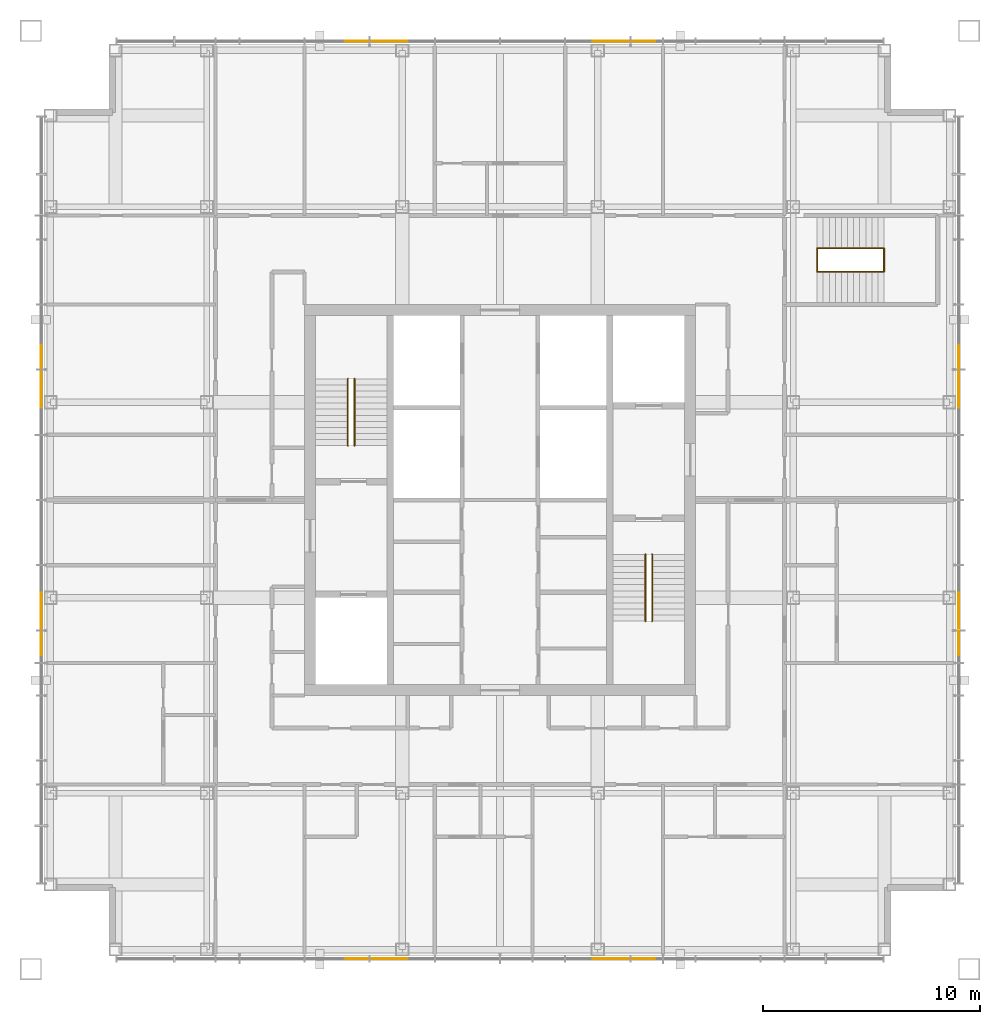
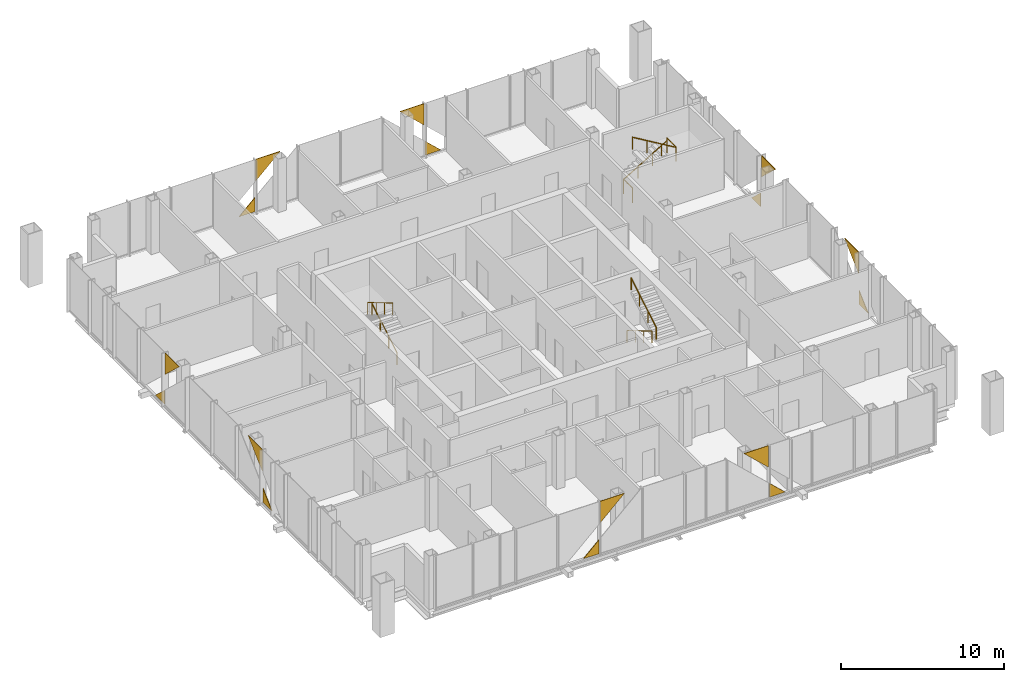
# One storey, part 12 of 12: 16 coverings, 8 railings.
"""IFC4 building model written with IfcOpenShell, lengths in metres."""

import ifcopenshell
import ifcopenshell.guid

model = None  # the IFC model being written
_history = None  # IfcOwnerHistory: only IFC2X3 demands one
_inside = {}  # id of a spatial element -> (the spatial element, [elements in it])
_under = {}  # id of a project, library or spatial element -> (it, [spatial elements below it])
_declared = {}  # id of a project -> (the project, [libraries it declares])
_typed = {}  # id of a type object -> (the type object, [elements of that type])
_made_of = {}  # id of a material, layer set ... -> (it, [elements and type objects made of it])


def new_model(schema):
    """Start an empty IFC model of exactly this schema.

    Asked for "IFC4X3", IfcOpenShell would pick the latest addendum, in which some entities
    have other attributes; the version numbers below select the first issue.
    IFC2X3 requires an IfcOwnerHistory on every rooted entity: one is made here for all.
    """
    global model, _history
    if schema == "IFC4X3":
        model = ifcopenshell.file(schema_version=(4, 3, 0, 0))
    else:
        model = ifcopenshell.file(schema=schema)
    _inside.clear()
    _under.clear()
    _declared.clear()
    _typed.clear()
    _made_of.clear()
    _history = None
    if model.schema == "IFC2X3":
        org = make("IfcOrganization", Name="unknown")
        user = make(
            "IfcPersonAndOrganization",
            ThePerson=make("IfcPerson", FamilyName="unknown"),
            TheOrganization=org,
        )
        app = make(
            "IfcApplication",
            ApplicationDeveloper=org,
            Version="unknown",
            ApplicationFullName="unknown",
            ApplicationIdentifier="unknown",
        )
        _history = make(
            "IfcOwnerHistory",
            OwningUser=user,
            OwningApplication=app,
            ChangeAction="ADDED",
            CreationDate=0,
        )
    return model


def make(cls, **values):
    """One entity of the class cls with the attributes given. An attribute that is None is left unset."""
    return model.create_entity(
        cls, **{name: value for name, value in values.items() if value is not None}
    )


def rooted(cls, **values):
    """An entity with a GlobalId (a new one), such as an element, a storey or a relation."""
    return make(cls, GlobalId=ifcopenshell.guid.new(), OwnerHistory=_history, **values)


def si_unit(unit_type, name, prefix=None):
    """IfcSIUnit, for example si_unit("LENGTHUNIT", "METRE", prefix="MILLI")."""
    return make("IfcSIUnit", UnitType=unit_type, Prefix=prefix, Name=name)


def assignment(units):
    """IfcUnitAssignment: the units of a project."""
    return None if units is None else make("IfcUnitAssignment", Units=units)


def point(xyz):
    """IfcCartesianPoint."""
    return None if xyz is None else make("IfcCartesianPoint", Coordinates=xyz)


def direction(xyz):
    """IfcDirection."""
    return None if xyz is None else make("IfcDirection", DirectionRatios=xyz)


def frame(location, z_axis=None, x_axis=None):
    """IfcAxis2Placement3D, a coordinate frame: its origin and axes. An axis left out is left unset."""
    return make(
        "IfcAxis2Placement3D",
        Location=point(location),
        Axis=direction(z_axis),
        RefDirection=direction(x_axis),
    )


def frame_2d(location, x_axis=None):
    """IfcAxis2Placement2D, a coordinate frame in the plane: its origin and x axis."""
    return make(
        "IfcAxis2Placement2D", Location=point(location), RefDirection=direction(x_axis)
    )


def origin():
    """The frame at (0, 0, 0) with its axes left unset."""
    return frame((0.0, 0.0, 0.0))


def origin_2d():
    """The frame at (0, 0) in the plane with its x axis left unset."""
    return frame_2d((0.0, 0.0))


def place(relative_to, where):
    """IfcLocalPlacement: puts the frame where relative to a parent placement (None: the world)."""
    return make(
        "IfcLocalPlacement", PlacementRelTo=relative_to, RelativePlacement=where
    )


def context(
    kind, dimensions, precision=None, world=None, true_north=None, identifier=None
):
    """IfcGeometricRepresentationContext, for example the 3D "Model" context."""
    return make(
        "IfcGeometricRepresentationContext",
        ContextIdentifier=identifier,
        ContextType=kind,
        CoordinateSpaceDimension=dimensions,
        Precision=precision,
        WorldCoordinateSystem=world,
        TrueNorth=true_north,
    )


def subcontext(parent, identifier, kind, view, scale=None):
    """IfcGeometricRepresentationSubContext, for example "Body" below "Model"."""
    return make(
        "IfcGeometricRepresentationSubContext",
        ContextIdentifier=identifier,
        ContextType=kind,
        ParentContext=parent,
        TargetScale=scale,
        TargetView=view,
    )


def project(units=None, contexts=None):
    """IfcProject with its units and contexts."""
    return rooted(
        "IfcProject",
        Name="project",
        RepresentationContexts=contexts,
        UnitsInContext=assignment(units),
    )


def spatial(cls, under=None, at=None, **own):
    """A site, building, storey or space (cls), placed at a placement, below another one or the project."""
    s = rooted(cls, ObjectPlacement=at, **own)
    if under is not None:
        _under.setdefault(under.id(), (under, []))[1].append(s)
    return s


def polyline(points):
    """IfcPolyline through the points."""
    return make("IfcPolyline", Points=[point(p) for p in points])


def profile(cls, at=None, kind="AREA", **sizes):
    """A parametric profile (cls). Its sizes go by their IFC names, for example OverallWidth=200.0."""
    return make(cls, ProfileType=kind, Position=at, **sizes)


def circle(**sizes):
    """IfcCircleProfileDef."""
    return profile("IfcCircleProfileDef", **sizes)


def outline(outer, holes=None, kind="AREA"):
    """IfcArbitraryClosedProfileDef: a profile drawn as a closed curve; with holes, ...WithVoids."""
    if holes is None:
        return make("IfcArbitraryClosedProfileDef", ProfileType=kind, OuterCurve=outer)
    return make(
        "IfcArbitraryProfileDefWithVoids",
        ProfileType=kind,
        OuterCurve=outer,
        InnerCurves=holes,
    )


def extrude(swept, where, along, depth):
    """IfcExtrudedAreaSolid: the profile swept, set in the frame where, extruded along a direction by depth."""
    return make(
        "IfcExtrudedAreaSolid",
        SweptArea=swept,
        Position=where,
        ExtrudedDirection=direction(along),
        Depth=depth,
    )


def shape(context_of_items, identifier, shape_type, items):
    """IfcShapeRepresentation: the items that make up one representation, for example the "Body"."""
    return make(
        "IfcShapeRepresentation",
        ContextOfItems=context_of_items,
        RepresentationIdentifier=identifier,
        RepresentationType=shape_type,
        Items=items,
    )


def material(Name=None, Category=None):
    """IfcMaterial."""
    return make("IfcMaterial", Name=Name, Category=Category)


def layer(
    of_material, thickness, ventilated=None, Name=None, Category=None, Priority=None
):
    """IfcMaterialLayer: one layer of a wall or slab, of a material (None: an air gap)."""
    return make(
        "IfcMaterialLayer",
        Material=of_material,
        LayerThickness=thickness,
        IsVentilated=ventilated,
        Name=Name,
        Category=Category,
        Priority=Priority,
    )


def layer_set(layers, Name=None):
    """IfcMaterialLayerSet."""
    return make("IfcMaterialLayerSet", MaterialLayers=layers, LayerSetName=Name)


def made_of(thing, what):
    """Note that an element or type object is made of a material, layer set ...; save() writes the relation."""
    if what is not None:
        _made_of.setdefault(what.id(), (what, []))[1].append(thing)
    return thing


def type_object(cls, material=None, **own):
    """A type object (cls), such as IfcWallType, which elements share."""
    return made_of(rooted(cls, **own), material)


def element(
    cls,
    number,
    at=None,
    inside=None,
    cuts=None,
    type_object=None,
    material=None,
    context=None,
    identifier="Body",
    shape_type=None,
    held_by="IfcProductDefinitionShape",
    body=None,
    shapes=None,
    **own,
):
    """One element of the class cls, such as IfcWall. Its Tag is "e" and its number.

    at: its placement. inside: the storey or other place that contains it. cuts: it is an
    opening in that element (IfcRelVoidsElement). A single representation is given by context,
    identifier, shape_type and body (its items); several are given by shapes. held_by: the class
    of the entity that holds the representations. save() writes the other relations.
    """
    e = rooted(cls, Tag="e%d" % number, ObjectPlacement=at, **own)
    if body is not None:
        shapes = [shape(context, identifier, shape_type, body)]
    if shapes is not None:
        e.Representation = make(held_by, Representations=shapes)
    if inside is not None:
        _inside.setdefault(inside.id(), (inside, []))[1].append(e)
    if cuts is not None:
        rooted(
            "IfcRelVoidsElement", RelatingBuildingElement=cuts, RelatedOpeningElement=e
        )
    if type_object is not None:
        _typed.setdefault(type_object.id(), (type_object, []))[1].append(e)
    return made_of(e, material)


def aggregate(whole, parts):
    """IfcRelAggregates: a whole, such as a stair, and the parts it consists of."""
    return rooted("IfcRelAggregates", RelatingObject=whole, RelatedObjects=parts)


def save(model, path):
    """Write the relations noted so far, then the file.

    IfcRelAggregates (storeys below a building ...), IfcRelContainedInSpatialStructure (elements
    in a storey), IfcRelDefinesByType, IfcRelAssociatesMaterial and IfcRelDeclares: one each for
    every whole, place, type object, material and project.
    """
    for whole, parts in _under.values():
        aggregate(whole, parts)
    for where, things in _inside.values():
        rooted(
            "IfcRelContainedInSpatialStructure",
            RelatedElements=things,
            RelatingStructure=where,
        )
    for kind, things in _typed.values():
        rooted("IfcRelDefinesByType", RelatedObjects=things, RelatingType=kind)
    for what, things in _made_of.values():
        rooted("IfcRelAssociatesMaterial", RelatedObjects=things, RelatingMaterial=what)
    for by, libraries in _declared.values():
        rooted("IfcRelDeclares", RelatingContext=by, RelatedDefinitions=libraries)
    model.write(path)


model = new_model("IFC4")

# Units and contexts
model_context = context("Model", 3, precision=1e-05, world=origin(), true_north=direction((0.0, 1.0)))
body_context = subcontext(model_context, "Body", "Model", "MODEL_VIEW")
ifc_project = project(units=[si_unit("LENGTHUNIT", "METRE"), si_unit("AREAUNIT", "SQUARE_METRE"), si_unit("VOLUMEUNIT", "CUBIC_METRE"), si_unit("PLANEANGLEUNIT", "RADIAN"), si_unit("MASSUNIT", "GRAM", prefix="KILO")], contexts=[model_context])

# Site, building, storey
site_placement = place(None, origin())
site = spatial("IfcSite", under=ifc_project, at=site_placement, CompositionType="ELEMENT")
building_placement = place(site_placement, origin())
building = spatial("IfcBuilding", under=site, at=building_placement, Name="Malebo Sky Hospital", CompositionType="ELEMENT")
storey_placement = place(building_placement, frame((0.0, 0.0, 262.0)))
storey = spatial("IfcBuildingStorey", under=building, at=storey_placement, Name="L63", CompositionType="ELEMENT", Elevation=262.0)

# Coverings
ifc_material_1 = material(Name="Anodised aluminium, natural silver insulated infill panel", Category="aluminium")
ifc_layer = layer(ifc_material_1, 0.0400390625)
ifc_layer_set = layer_set([ifc_layer], Name="BRACE INFILL PANEL 40")
covering_type = type_object("IfcCoveringType", Name="BRACE INFILL PANEL 40", PredefinedType="CLADDING", material=ifc_layer_set)
covering_1_placement = place(storey_placement, frame((53.40771484375, 83.125, 0.10009765625), z_axis=(0.0, 0.0, 1.0), x_axis=(1.0, 0.0, 0.0)))
element("IfcCovering", 1, at=covering_1_placement, inside=storey, type_object=covering_type, Name="Brace infill panel 5.1", PredefinedType="CLADDING", context=body_context, shape_type="SweptSolid", body=[
    extrude(outline(polyline([(-0.5546875, 0.0), (0.5546875, 0.0), (0.5546875, 1.038818359375), (-0.5546875, 0.0)])), frame((0.0, 0.02001953125, 0.0), z_axis=(0.0, -1.0, 0.0), x_axis=(1.0, 0.0, 0.0)), (0.0, 0.0, 1.0), 0.0400390625),
])
covering_2_placement = place(storey_placement, frame((54.89990234375, 83.125, 2.375), z_axis=(0.0, 0.0, 1.0), x_axis=(1.0, 0.0, 0.0)))
element("IfcCovering", 2, at=covering_2_placement, inside=storey, type_object=covering_type, Name="Brace infill panel 6.1", PredefinedType="CLADDING", context=body_context, shape_type="SweptSolid", body=[
    extrude(outline(polyline([(-0.8623046875, 0.0), (0.8623046875, 1.614990234375), (-0.8623046875, 1.614990234375), (-0.8623046875, 0.0)])), frame((0.0, 0.02001953125, 0.0), z_axis=(0.0, -1.0, 0.0), x_axis=(1.0, 0.0, 0.0)), (0.0, 0.0, 1.0), 0.0400390625),
])
covering_3_placement = place(storey_placement, frame((65.10009765625, 83.125, 2.375), z_axis=(0.0, 0.0, 1.0), x_axis=(1.0, 0.0, 0.0)))
element("IfcCovering", 3, at=covering_3_placement, inside=storey, type_object=covering_type, Name="Brace infill panel 9.1", PredefinedType="CLADDING", context=body_context, shape_type="SweptSolid", body=[
    extrude(outline(polyline([(0.8623046875, 0.0), (0.8623046875, 1.614990234375), (-0.8623046875, 1.614990234375), (0.8623046875, 0.0)])), frame((0.0, 0.02001953125, 0.0), z_axis=(0.0, -1.0, 0.0), x_axis=(1.0, 0.0, 0.0)), (0.0, 0.0, 1.0), 0.0400390625),
])
covering_4_placement = place(storey_placement, frame((66.59228515625, 83.125, 0.10009765625), z_axis=(0.0, 0.0, 1.0), x_axis=(1.0, 0.0, 0.0)))
element("IfcCovering", 4, at=covering_4_placement, inside=storey, type_object=covering_type, Name="Brace infill panel 10.1", PredefinedType="CLADDING", context=body_context, shape_type="SweptSolid", body=[
    extrude(outline(polyline([(-0.5546875, 0.0), (0.5546875, 0.0), (-0.5546875, 1.038818359375), (-0.5546875, 0.0)])), frame((0.0, 0.02001953125, 0.0), z_axis=(0.0, -1.0, 0.0), x_axis=(1.0, 0.0, 0.0)), (0.0, 0.0, 1.0), 0.0400390625),
])
covering_5_placement = place(storey_placement, frame((38.875, 55.40771484375, 0.10009765625), z_axis=(0.0, 0.0, 1.0), x_axis=(0.0, 1.0, 0.0)))
element("IfcCovering", 5, at=covering_5_placement, inside=storey, type_object=covering_type, Name="Brace infill panel 6.1", PredefinedType="CLADDING", context=body_context, shape_type="SweptSolid", body=[
    extrude(outline(polyline([(-0.5546875, 0.0), (0.5546875, 0.0), (0.5546875, 1.038818359375), (-0.5546875, 0.0)])), frame((0.0, 0.02001953125, 0.0), z_axis=(0.0, -1.0, 0.0), x_axis=(1.0, 0.0, 0.0)), (0.0, 0.0, 1.0), 0.0400390625),
])
covering_6_placement = place(storey_placement, frame((38.875, 56.89990234375, 2.375), z_axis=(0.0, 0.0, 1.0), x_axis=(0.0, 1.0, 0.0)))
element("IfcCovering", 6, at=covering_6_placement, inside=storey, type_object=covering_type, Name="Brace infill panel 7.1", PredefinedType="CLADDING", context=body_context, shape_type="SweptSolid", body=[
    extrude(outline(polyline([(-0.8623046875, 0.0), (0.8623046875, 1.614990234375), (-0.8623046875, 1.614990234375), (-0.8623046875, 0.0)])), frame((0.0, 0.02001953125, 0.0), z_axis=(0.0, -1.0, 0.0), x_axis=(1.0, 0.0, 0.0)), (0.0, 0.0, 1.0), 0.0400390625),
])
covering_7_placement = place(storey_placement, frame((38.875, 67.10009765625, 2.375), z_axis=(0.0, 0.0, 1.0), x_axis=(0.0, 1.0, 0.0)))
element("IfcCovering", 7, at=covering_7_placement, inside=storey, type_object=covering_type, Name="Brace infill panel 10.1", PredefinedType="CLADDING", context=body_context, shape_type="SweptSolid", body=[
    extrude(outline(polyline([(0.8623046875, 0.0), (0.8623046875, 1.614990234375), (-0.8623046875, 1.614990234375), (0.8623046875, 0.0)])), frame((0.0, 0.02001953125, 0.0), z_axis=(0.0, -1.0, 0.0), x_axis=(1.0, 0.0, 0.0)), (0.0, 0.0, 1.0), 0.0400390625),
])
covering_8_placement = place(storey_placement, frame((38.875, 68.59228515625, 0.10009765625), z_axis=(0.0, 0.0, 1.0), x_axis=(0.0, 1.0, 0.0)))
element("IfcCovering", 8, at=covering_8_placement, inside=storey, type_object=covering_type, Name="Brace infill panel 11.1", PredefinedType="CLADDING", context=body_context, shape_type="SweptSolid", body=[
    extrude(outline(polyline([(-0.5546875, 0.0), (0.5546875, 0.0), (-0.5546875, 1.038818359375), (-0.5546875, 0.0)])), frame((0.0, 0.02001953125, 0.0), z_axis=(0.0, -1.0, 0.0), x_axis=(1.0, 0.0, 0.0)), (0.0, 0.0, 1.0), 0.0400390625),
])
covering_9_placement = place(storey_placement, frame((66.59228515625, 40.875, 0.10009765625), z_axis=(0.0, 0.0, 1.0), x_axis=(-1.0, 0.0, 0.0)))
element("IfcCovering", 9, at=covering_9_placement, inside=storey, type_object=covering_type, Name="Brace infill panel 6.1", PredefinedType="CLADDING", context=body_context, shape_type="SweptSolid", body=[
    extrude(outline(polyline([(-0.5546875, 0.0), (0.5546875, 0.0), (0.5546875, 1.038818359375), (-0.5546875, 0.0)])), frame((0.0, 0.02001953125, 0.0), z_axis=(0.0, -1.0, 0.0), x_axis=(1.0, 0.0, 0.0)), (0.0, 0.0, 1.0), 0.0400390625),
])
covering_10_placement = place(storey_placement, frame((65.10009765625, 40.875, 2.375), z_axis=(0.0, 0.0, 1.0), x_axis=(-1.0, 0.0, 0.0)))
element("IfcCovering", 10, at=covering_10_placement, inside=storey, type_object=covering_type, Name="Brace infill panel 7.1", PredefinedType="CLADDING", context=body_context, shape_type="SweptSolid", body=[
    extrude(outline(polyline([(-0.8623046875, 0.0), (0.8623046875, 1.614990234375), (-0.8623046875, 1.614990234375), (-0.8623046875, 0.0)])), frame((0.0, 0.02001953125, 0.0), z_axis=(0.0, -1.0, 0.0), x_axis=(1.0, 0.0, 0.0)), (0.0, 0.0, 1.0), 0.0400390625),
])
covering_11_placement = place(storey_placement, frame((54.89990234375, 40.875, 2.375), z_axis=(0.0, 0.0, 1.0), x_axis=(-1.0, 0.0, 0.0)))
element("IfcCovering", 11, at=covering_11_placement, inside=storey, type_object=covering_type, Name="Brace infill panel 11.1", PredefinedType="CLADDING", context=body_context, shape_type="SweptSolid", body=[
    extrude(outline(polyline([(0.8623046875, 0.0), (0.8623046875, 1.614990234375), (-0.8623046875, 1.614990234375), (0.8623046875, 0.0)])), frame((0.0, 0.02001953125, 0.0), z_axis=(0.0, -1.0, 0.0), x_axis=(1.0, 0.0, 0.0)), (0.0, 0.0, 1.0), 0.0400390625),
])
covering_12_placement = place(storey_placement, frame((53.40771484375, 40.875, 0.10009765625), z_axis=(0.0, 0.0, 1.0), x_axis=(-1.0, 0.0, 0.0)))
element("IfcCovering", 12, at=covering_12_placement, inside=storey, type_object=covering_type, Name="Brace infill panel 12.1", PredefinedType="CLADDING", context=body_context, shape_type="SweptSolid", body=[
    extrude(outline(polyline([(-0.5546875, 0.0), (0.5546875, 0.0), (-0.5546875, 1.038818359375), (-0.5546875, 0.0)])), frame((0.0, 0.02001953125, 0.0), z_axis=(0.0, -1.0, 0.0), x_axis=(1.0, 0.0, 0.0)), (0.0, 0.0, 1.0), 0.0400390625),
])
covering_13_placement = place(storey_placement, frame((81.125, 68.59228515625, 0.10009765625), z_axis=(0.0, 0.0, 1.0), x_axis=(0.0, -1.0, 0.0)))
element("IfcCovering", 13, at=covering_13_placement, inside=storey, type_object=covering_type, Name="Brace infill panel 5.1", PredefinedType="CLADDING", context=body_context, shape_type="SweptSolid", body=[
    extrude(outline(polyline([(-0.5546875, 0.0), (0.5546875, 0.0), (0.5546875, 1.038818359375), (-0.5546875, 0.0)])), frame((0.0, 0.02001953125, 0.0), z_axis=(0.0, -1.0, 0.0), x_axis=(1.0, 0.0, 0.0)), (0.0, 0.0, 1.0), 0.0400390625),
])
covering_14_placement = place(storey_placement, frame((81.125, 67.10009765625, 2.375), z_axis=(0.0, 0.0, 1.0), x_axis=(0.0, -1.0, 0.0)))
element("IfcCovering", 14, at=covering_14_placement, inside=storey, type_object=covering_type, Name="Brace infill panel 6.1", PredefinedType="CLADDING", context=body_context, shape_type="SweptSolid", body=[
    extrude(outline(polyline([(-0.8623046875, 0.0), (0.8623046875, 1.614990234375), (-0.8623046875, 1.614990234375), (-0.8623046875, 0.0)])), frame((0.0, 0.02001953125, 0.0), z_axis=(0.0, -1.0, 0.0), x_axis=(1.0, 0.0, 0.0)), (0.0, 0.0, 1.0), 0.0400390625),
])
covering_15_placement = place(storey_placement, frame((81.125, 56.89990234375, 2.375), z_axis=(0.0, 0.0, 1.0), x_axis=(0.0, -1.0, 0.0)))
element("IfcCovering", 15, at=covering_15_placement, inside=storey, type_object=covering_type, Name="Brace infill panel 9.1", PredefinedType="CLADDING", context=body_context, shape_type="SweptSolid", body=[
    extrude(outline(polyline([(0.8623046875, 0.0), (0.8623046875, 1.614990234375), (-0.8623046875, 1.614990234375), (0.8623046875, 0.0)])), frame((0.0, 0.02001953125, 0.0), z_axis=(0.0, -1.0, 0.0), x_axis=(1.0, 0.0, 0.0)), (0.0, 0.0, 1.0), 0.0400390625),
])
covering_16_placement = place(storey_placement, frame((81.125, 55.40771484375, 0.10009765625), z_axis=(0.0, 0.0, 1.0), x_axis=(0.0, -1.0, 0.0)))
element("IfcCovering", 16, at=covering_16_placement, inside=storey, type_object=covering_type, Name="Brace infill panel 10.1", PredefinedType="CLADDING", context=body_context, shape_type="SweptSolid", body=[
    extrude(outline(polyline([(-0.5546875, 0.0), (0.5546875, 0.0), (-0.5546875, 1.038818359375), (-0.5546875, 0.0)])), frame((0.0, 0.02001953125, 0.0), z_axis=(0.0, -1.0, 0.0), x_axis=(1.0, 0.0, 0.0)), (0.0, 0.0, 1.0), 0.0400390625),
])

# Railings
ifc_material_2 = material(Name="Stainless steel balustrade", Category="steel")
railing_type_1 = type_object("IfcRailingType", Name="STAIR GUARD 1100", PredefinedType="GUARDRAIL", material=ifc_material_2)
for number, where, name in (
    (17, (74.60009765625, 72.5, 0.0), "Stair guard S3 floor landing"),
    (18, (77.679931640625, 72.5, 2.0), "Stair guard S3 mid landing"),
):
    element("IfcRailing", number, at=place(storey_placement, frame(where)), inside=storey, type_object=railing_type_1, Name=name, PredefinedType="GUARDRAIL", context=body_context, shape_type="SweptSolid", body=[
        extrude(circle(Radius=0.02392578125, at=origin_2d()), frame((0.0, 0.0, 1.076171875), z_axis=(0.0, 1.0, 0.0), x_axis=(-1.0, 0.0, 0.0)), (0.0, 0.0, 1.0), 1.10009765625),
        extrude(circle(Radius=0.02099609375, at=origin_2d()), origin(), (0.0, 0.0, 1.0), 1.052001953125),
        extrude(circle(Radius=0.02099609375, at=origin_2d()), frame((0.0, 1.10009765625, 0.0)), (0.0, 0.0, 1.0), 1.052001953125),
    ])
ifc_material_3 = material(Name="Stainless steel tube", Category="steel")
railing_type_2 = type_object("IfcRailingType", Name="STAIR HANDRAIL 900", PredefinedType="HANDRAIL", material=ifc_material_3)
railing_1_placement = place(storey_placement, frame((53.300048828125, 64.5, 0.166748046875)))
element("IfcRailing", 19, at=railing_1_placement, inside=storey, type_object=railing_type_2, Name="Stair handrail S1 flight 1", PredefinedType="HANDRAIL", context=body_context, shape_type="SweptSolid", body=[
    extrude(circle(Radius=0.02392578125, at=origin_2d()), frame((0.0, 0.0, 0.8759765625), z_axis=(0.0, 0.859308565015, 0.511457515432), x_axis=(-1.0, 0.0, 0.0)), (0.0, 0.0, 1.0), 3.58447265625),
    extrude(circle(Radius=0.02099609375, at=origin_2d()), origin(), (0.0, 0.0, 1.0), 0.851806640625),
    extrude(circle(Radius=0.02099609375, at=origin_2d()), frame((0.0, 1.026611328125, 0.611083984375)), (0.0, 0.0, 1.0), 0.851806640625),
    extrude(circle(Radius=0.02099609375, at=origin_2d()), frame((0.0, 2.053466796875, 1.22216796875)), (0.0, 0.0, 1.0), 0.851806640625),
    extrude(circle(Radius=0.02099609375, at=origin_2d()), frame((0.0, 3.080078125, 1.833251953125)), (0.0, 0.0, 1.0), 0.851806640625),
])
for number, where, name in (
    (20, (53.0, 67.580078125, 2.166748046875), "Stair handrail S1 flight 2"),
    (21, (66.699951171875, 59.5, 0.166748046875), "Stair handrail S2 flight 1"),
):
    element("IfcRailing", number, at=place(storey_placement, frame(where)), inside=storey, type_object=railing_type_2, Name=name, PredefinedType="HANDRAIL", context=body_context, shape_type="SweptSolid", body=[
        extrude(circle(Radius=0.02392578125, at=origin_2d()), frame((0.0, 0.0, 0.8759765625), z_axis=(0.0, -0.859308565015, 0.511457515432), x_axis=(1.0, 0.0, 0.0)), (0.0, 0.0, 1.0), 3.58447265625),
        extrude(circle(Radius=0.02099609375, at=origin_2d()), origin(), (0.0, 0.0, 1.0), 0.851806640625),
        extrude(circle(Radius=0.02099609375, at=origin_2d()), frame((0.0, -1.026611328125, 0.611083984375)), (0.0, 0.0, 1.0), 0.851806640625),
        extrude(circle(Radius=0.02099609375, at=origin_2d()), frame((0.0, -2.053466796875, 1.22216796875)), (0.0, 0.0, 1.0), 0.851806640625),
        extrude(circle(Radius=0.02099609375, at=origin_2d()), frame((0.0, -3.080078125, 1.833251953125)), (0.0, 0.0, 1.0), 0.851806640625),
    ])
railing_2_placement = place(storey_placement, frame((67.0, 56.419921875, 2.166748046875)))
element("IfcRailing", 22, at=railing_2_placement, inside=storey, type_object=railing_type_2, Name="Stair handrail S2 flight 2", PredefinedType="HANDRAIL", context=body_context, shape_type="SweptSolid", body=[
    extrude(circle(Radius=0.02392578125, at=origin_2d()), frame((0.0, 0.0, 0.8759765625), z_axis=(0.0, 0.859308565015, 0.511457515432), x_axis=(-1.0, 0.0, 0.0)), (0.0, 0.0, 1.0), 3.58447265625),
    extrude(circle(Radius=0.02099609375, at=origin_2d()), origin(), (0.0, 0.0, 1.0), 0.851806640625),
    extrude(circle(Radius=0.02099609375, at=origin_2d()), frame((0.0, 1.026611328125, 0.611083984375)), (0.0, 0.0, 1.0), 0.851806640625),
    extrude(circle(Radius=0.02099609375, at=origin_2d()), frame((0.0, 2.053466796875, 1.22216796875)), (0.0, 0.0, 1.0), 0.851806640625),
    extrude(circle(Radius=0.02099609375, at=origin_2d()), frame((0.0, 3.080078125, 1.833251953125)), (0.0, 0.0, 1.0), 0.851806640625),
])
railing_3_placement = place(storey_placement, frame((74.60009765625, 73.60009765625, 0.166748046875)))
element("IfcRailing", 23, at=railing_3_placement, inside=storey, type_object=railing_type_2, Name="Stair handrail S3 flight 1", PredefinedType="HANDRAIL", context=body_context, shape_type="SweptSolid", body=[
    extrude(circle(Radius=0.02392578125, at=origin_2d()), frame((0.0, 0.0, 0.8759765625), z_axis=(0.859290745958, 0.0, 0.51148745235), x_axis=(0.0, 1.0, 0.0)), (0.0, 0.0, 1.0), 3.584228515625),
    extrude(circle(Radius=0.02099609375, at=origin_2d()), origin(), (0.0, 0.0, 1.0), 0.851806640625),
    extrude(circle(Radius=0.02099609375, at=origin_2d()), frame((1.026611328125, 0.0, 0.611083984375)), (0.0, 0.0, 1.0), 0.851806640625),
    extrude(circle(Radius=0.02099609375, at=origin_2d()), frame((2.05322265625, 0.0, 1.22216796875)), (0.0, 0.0, 1.0), 0.851806640625),
    extrude(circle(Radius=0.02099609375, at=origin_2d()), frame((3.079833984375, 0.0, 1.833251953125)), (0.0, 0.0, 1.0), 0.851806640625),
])
railing_4_placement = place(storey_placement, frame((77.679931640625, 72.5, 2.166748046875)))
element("IfcRailing", 24, at=railing_4_placement, inside=storey, type_object=railing_type_2, Name="Stair handrail S3 flight 2", PredefinedType="HANDRAIL", context=body_context, shape_type="SweptSolid", body=[
    extrude(circle(Radius=0.02392578125, at=origin_2d()), frame((0.0, 0.0, 0.8759765625), z_axis=(-0.859290745958, 0.0, 0.51148745235), x_axis=(0.0, -1.0, 0.0)), (0.0, 0.0, 1.0), 3.584228515625),
    extrude(circle(Radius=0.02099609375, at=origin_2d()), origin(), (0.0, 0.0, 1.0), 0.851806640625),
    extrude(circle(Radius=0.02099609375, at=origin_2d()), frame((-1.026611328125, 0.0, 0.611083984375)), (0.0, 0.0, 1.0), 0.851806640625),
    extrude(circle(Radius=0.02099609375, at=origin_2d()), frame((-2.05322265625, 0.0, 1.22216796875)), (0.0, 0.0, 1.0), 0.851806640625),
    extrude(circle(Radius=0.02099609375, at=origin_2d()), frame((-3.079833984375, 0.0, 1.833251953125)), (0.0, 0.0, 1.0), 0.851806640625),
])

save(model, "model.ifc")
